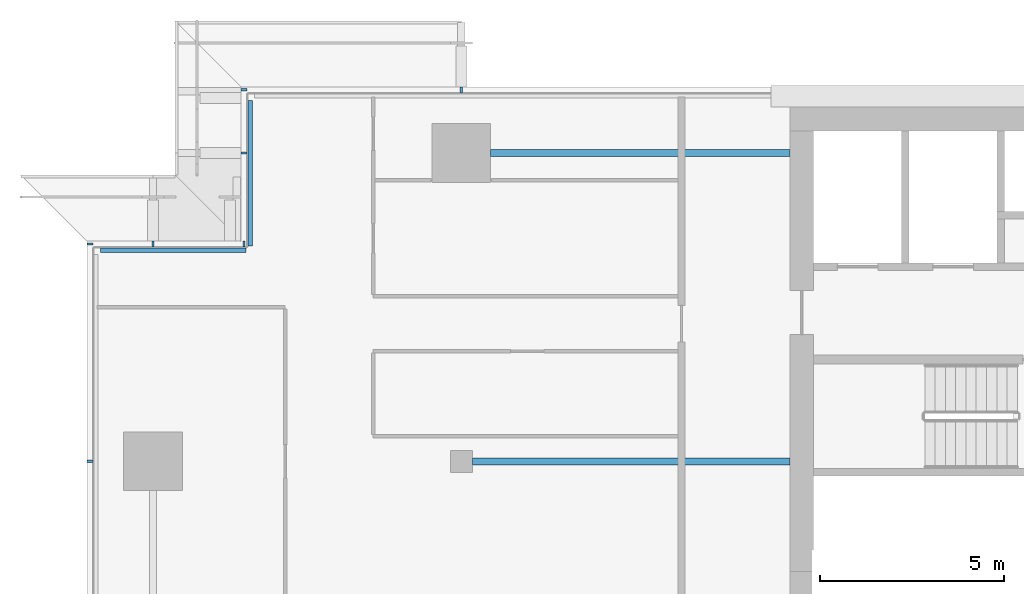
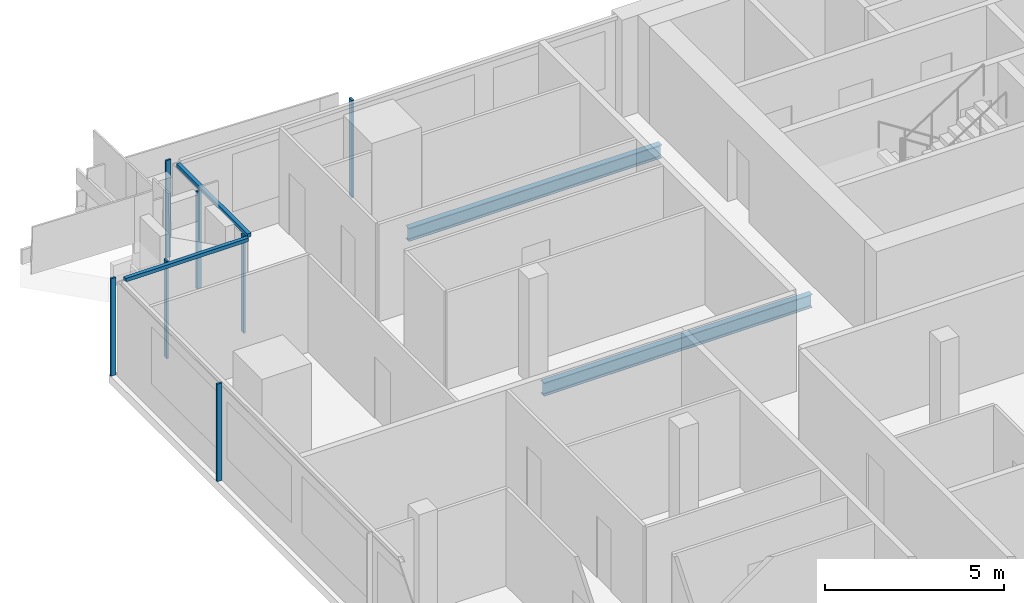
# One storey, part 10 of 30: 9 members, 2 beams, 4 elements without a shape of their own.
"""IFC4 building model written with IfcOpenShell, lengths in metres."""

from ifc_helpers import new_model, si_unit, direction, frame, origin, origin_2d, place, context, subcontext, project, spatial, rectangle, i_section, extrude, material, material_profile, profile_set, type_object, element, aggregate, save


model = new_model("IFC4")

# Units and contexts
model_context = context("Model", 3, precision=1e-05, world=origin(), true_north=direction((0.0, 1.0)))
body_context = subcontext(model_context, "Body", "Model", "MODEL_VIEW")
ifc_project = project(units=[si_unit("LENGTHUNIT", "METRE"), si_unit("AREAUNIT", "SQUARE_METRE"), si_unit("VOLUMEUNIT", "CUBIC_METRE"), si_unit("PLANEANGLEUNIT", "RADIAN"), si_unit("MASSUNIT", "GRAM", prefix="KILO")], contexts=[model_context])

# Site, building, storey
site_placement = place(None, origin())
site = spatial("IfcSite", under=ifc_project, at=site_placement, CompositionType="ELEMENT")
building_placement = place(site_placement, origin())
building = spatial("IfcBuilding", under=site, at=building_placement, Name="Saffron Gate Tower", CompositionType="ELEMENT")
storey_placement = place(building_placement, frame((0.0, 0.0, 237.89990234375)))
storey = spatial("IfcBuildingStorey", under=building, at=storey_placement, Name="L58", CompositionType="ELEMENT", Elevation=237.89990234375)

# Beams
ifc_material_1 = material(Name="Structural steel S355", Category="steel")
ifc_material_profile_1 = material_profile(ifc_material_1, i_section(OverallWidth=0.18994140625, OverallDepth=0.449951171875, WebThickness=0.009521484375, FlangeThickness=0.0146484375, FilletRadius=0.02099609375, at=origin_2d()))
ifc_profile_set_1 = profile_set([ifc_material_profile_1], Name="Structural steel S355")
beam_type = type_object("IfcBeamType", Name="B6 IPE 450", PredefinedType="BEAM", material=ifc_profile_set_1)
beam_1_placement = place(storey_placement, frame((58.5, 65.39990234375, -0.5048828125), z_axis=(1.0, 0.0, 0.0), x_axis=(0.0, 1.0, 0.0)))
element("IfcBeam", 1, at=beam_1_placement, inside=storey, type_object=beam_type, Name="B6 CORE TIE BEAM", PredefinedType="BEAM", context=body_context, shape_type="SweptSolid", body=[
    extrude(i_section(OverallWidth=0.18994140625, OverallDepth=0.449951171875, WebThickness=0.009521484375, FlangeThickness=0.0146484375, FilletRadius=0.02099609375, at=origin_2d()), origin(), (0.0, 0.0, 1.0), 8.64990234375),
])
beam_2_placement = place(storey_placement, frame((59.0, 73.800048828125, -0.5048828125), z_axis=(1.0, 0.0, 0.0), x_axis=(0.0, 1.0, 0.0)))
element("IfcBeam", 2, at=beam_2_placement, inside=storey, type_object=beam_type, Name="B6 CORE TIE BEAM", PredefinedType="BEAM", context=body_context, shape_type="SweptSolid", body=[
    extrude(i_section(OverallWidth=0.18994140625, OverallDepth=0.449951171875, WebThickness=0.009521484375, FlangeThickness=0.0146484375, FilletRadius=0.02099609375, at=origin_2d()), origin(), (0.0, 0.0, 1.0), 8.14990234375),
])

# Curtain wall, members
ifc_material_2 = material(Name="Aluminium, bronze anodised", Category="aluminium")
curtain_wall_type_1 = type_object("IfcCurtainWallType", Name="CWS2 curtain wall side facades", PredefinedType="NOTDEFINED", material=ifc_material_2)
curtain_wall_1_placement = place(storey_placement, origin())
curtain_wall_1 = element("IfcCurtainWall", 3, at=curtain_wall_1_placement, inside=storey, type_object=curtain_wall_type_1, Name="CWS2 run 10", PredefinedType="NOTDEFINED")
ifc_material_profile_2 = material_profile(ifc_material_2, rectangle(XDim=0.159912109375, YDim=0.06005859375, at=origin_2d()))
ifc_profile_set_2 = profile_set([ifc_material_profile_2], Name="Aluminium, bronze anodised")
member_type_1 = type_object("IfcMemberType", Name="CWS2 mullion 60x160", PredefinedType="MULLION", material=ifc_profile_set_2)
member_1_placement = place(storey_placement, frame((48.080078125, 71.320068359375, 0.0), z_axis=(0.0, 0.0, 1.0), x_axis=(1.0, 0.0, 0.0)))
member_1 = element("IfcMember", 4, at=member_1_placement, type_object=member_type_1, Name="CWS2 mullion 1", PredefinedType="MULLION", context=body_context, shape_type="SweptSolid", body=[
    extrude(rectangle(XDim=0.159912109375, YDim=0.06005859375, at=origin_2d()), origin(), (0.0, 0.0, 1.0), 3.320068359375),
])
member_2_placement = place(storey_placement, frame((48.080078125, 65.39990234375, 0.0), z_axis=(0.0, 0.0, 1.0), x_axis=(1.0, 0.0, 0.0)))
member_2 = element("IfcMember", 5, at=member_2_placement, type_object=member_type_1, Name="CWS2 mullion 2", PredefinedType="MULLION", context=body_context, shape_type="SweptSolid", body=[
    extrude(rectangle(XDim=0.159912109375, YDim=0.06005859375, at=origin_2d()), origin(), (0.0, 0.0, 1.0), 3.320068359375),
])
aggregate(curtain_wall_1, [member_1, member_2])

# Curtain wall, member
curtain_wall_type_2 = type_object("IfcCurtainWallType", Name="CWS3 curtain wall rear facade", PredefinedType="NOTDEFINED", material=ifc_material_2)
curtain_wall_2_placement = place(storey_placement, origin())
curtain_wall_2 = element("IfcCurtainWall", 6, at=curtain_wall_2_placement, inside=storey, type_object=curtain_wall_type_2, Name="CWS3 run 7", PredefinedType="NOTDEFINED")
ifc_material_profile_3 = material_profile(ifc_material_2, rectangle(XDim=0.159912109375, YDim=0.070068359375, at=origin_2d()))
ifc_profile_set_3 = profile_set([ifc_material_profile_3], Name="Aluminium, bronze anodised")
member_type_2 = type_object("IfcMemberType", Name="CWS3 mullion 70x160", PredefinedType="MULLION", material=ifc_profile_set_3)
member_3_placement = place(storey_placement, frame((58.199951171875, 75.52001953125, 0.0), z_axis=(0.0, 0.0, 1.0), x_axis=(0.0, -1.0, 0.0)))
member_3 = element("IfcMember", 7, at=member_3_placement, type_object=member_type_2, Name="CWS3 mullion 9", PredefinedType="MULLION", context=body_context, shape_type="SweptSolid", body=[
    extrude(rectangle(XDim=0.159912109375, YDim=0.070068359375, at=origin_2d()), origin(), (0.0, 0.0, 1.0), 3.320068359375),
])
aggregate(curtain_wall_2, [member_3])

curtain_wall_type_3 = type_object("IfcCurtainWallType", Name="CWS4 curtain wall corner returns", PredefinedType="NOTDEFINED", material=ifc_material_2)
curtain_wall_3_placement = place(storey_placement, origin())
curtain_wall_3 = element("IfcCurtainWall", 8, at=curtain_wall_3_placement, inside=storey, type_object=curtain_wall_type_3, Name="CWS4 run 8", PredefinedType="NOTDEFINED")
ifc_material_profile_4 = material_profile(ifc_material_2, rectangle(XDim=0.1201171875, YDim=0.1201171875, at=origin_2d()))
ifc_profile_set_4 = profile_set([ifc_material_profile_4], Name="Aluminium, bronze anodised")
member_type_3 = type_object("IfcMemberType", Name="CWS4 head transom", PredefinedType="USERDEFINED", material=ifc_profile_set_4)
member_4_placement = place(storey_placement, frame((52.447998046875, 75.23193359375, 3.260009765625), z_axis=(0.0, -1.0, 0.0), x_axis=(1.0, 0.0, 0.0)))
member_4 = element("IfcMember", 9, at=member_4_placement, type_object=member_type_3, Name="CWS4 head transom", ObjectType="TRANSOM", PredefinedType="USERDEFINED", context=body_context, shape_type="SweptSolid", body=[
    extrude(rectangle(XDim=0.1201171875, YDim=0.1201171875, at=origin_2d()), origin(), (0.0, 0.0, 1.0), 3.9599609375),
])

curtain_wall_4_placement = place(storey_placement, origin())
curtain_wall_4 = element("IfcCurtainWall", 10, at=curtain_wall_4_placement, inside=storey, type_object=curtain_wall_type_3, Name="CWS4 run 9", PredefinedType="NOTDEFINED")
member_5_placement = place(storey_placement, frame((52.327880859375, 71.152099609375, 3.260009765625), z_axis=(-1.0, 0.0, 0.0), x_axis=(0.0, -1.0, 0.0)))
member_5 = element("IfcMember", 11, at=member_5_placement, type_object=member_type_3, Name="CWS4 head transom", ObjectType="TRANSOM", PredefinedType="USERDEFINED", context=body_context, shape_type="SweptSolid", body=[
    extrude(rectangle(XDim=0.1201171875, YDim=0.1201171875, at=origin_2d()), origin(), (0.0, 0.0, 1.0), 3.9599609375),
])

# Member
ifc_material_profile_5 = material_profile(ifc_material_2, rectangle(XDim=0.159912109375, YDim=0.06005859375, at=origin_2d()))
ifc_profile_set_5 = profile_set([ifc_material_profile_5], Name="Aluminium, bronze anodised")
member_type_4 = type_object("IfcMemberType", Name="CWS4 mullion 60x160", PredefinedType="MULLION", material=ifc_profile_set_5)
member_6_placement = place(storey_placement, frame((52.280029296875, 75.52001953125, 0.0), z_axis=(0.0, 0.0, 1.0), x_axis=(1.0, 0.0, 0.0)))
member_6 = element("IfcMember", 12, at=member_6_placement, type_object=member_type_4, Name="CWS4 mullion 1", PredefinedType="MULLION", context=body_context, shape_type="SweptSolid", body=[
    extrude(rectangle(XDim=0.159912109375, YDim=0.06005859375, at=origin_2d()), origin(), (0.0, 0.0, 1.0), 3.320068359375),
])

member_7_placement = place(storey_placement, frame((52.280029296875, 73.800048828125, 0.0), z_axis=(0.0, 0.0, 1.0), x_axis=(1.0, 0.0, 0.0)))
member_7 = element("IfcMember", 13, at=member_7_placement, type_object=member_type_4, Name="CWS4 mullion 2", PredefinedType="MULLION", context=body_context, shape_type="SweptSolid", body=[
    extrude(rectangle(XDim=0.159912109375, YDim=0.06005859375, at=origin_2d()), origin(), (0.0, 0.0, 1.0), 3.320068359375),
])

aggregate(curtain_wall_3, [member_6, member_7, member_4])

member_8_placement = place(storey_placement, frame((52.280029296875, 71.320068359375, 0.0), z_axis=(0.0, 0.0, 1.0), x_axis=(0.0, -1.0, 0.0)))
member_8 = element("IfcMember", 14, at=member_8_placement, type_object=member_type_4, Name="CWS4 mullion 1", PredefinedType="MULLION", context=body_context, shape_type="SweptSolid", body=[
    extrude(rectangle(XDim=0.159912109375, YDim=0.06005859375, at=origin_2d()), origin(), (0.0, 0.0, 1.0), 3.320068359375),
])

member_9_placement = place(storey_placement, frame((49.800048828125, 71.320068359375, 0.0), z_axis=(0.0, 0.0, 1.0), x_axis=(0.0, -1.0, 0.0)))
member_9 = element("IfcMember", 15, at=member_9_placement, type_object=member_type_4, Name="CWS4 mullion 2", PredefinedType="MULLION", context=body_context, shape_type="SweptSolid", body=[
    extrude(rectangle(XDim=0.159912109375, YDim=0.06005859375, at=origin_2d()), origin(), (0.0, 0.0, 1.0), 3.320068359375),
])

aggregate(curtain_wall_4, [member_8, member_9, member_5])

save(model, "model.ifc")
